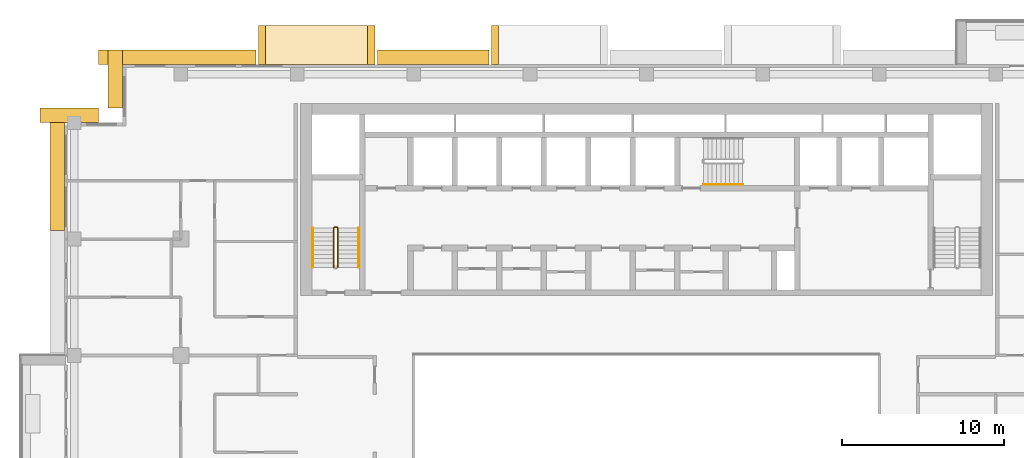
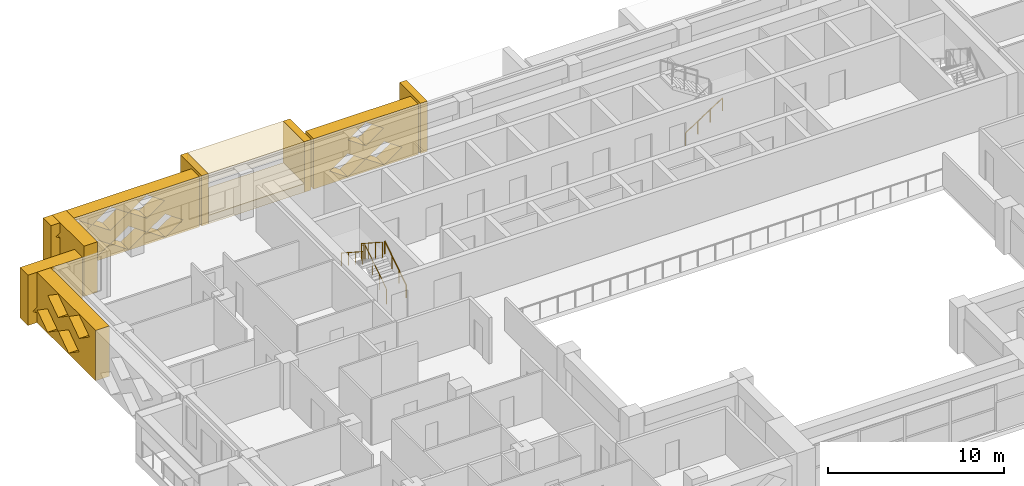
# One storey, part 18 of 20: 10 coverings, 4 railings.
"""IFC4 building model written with IfcOpenShell, lengths in metres."""

import ifcopenshell
import ifcopenshell.guid

model = None  # the IFC model being written
_history = None  # IfcOwnerHistory: only IFC2X3 demands one
_inside = {}  # id of a spatial element -> (the spatial element, [elements in it])
_under = {}  # id of a project, library or spatial element -> (it, [spatial elements below it])
_declared = {}  # id of a project -> (the project, [libraries it declares])
_typed = {}  # id of a type object -> (the type object, [elements of that type])
_made_of = {}  # id of a material, layer set ... -> (it, [elements and type objects made of it])


def new_model(schema):
    """Start an empty IFC model of exactly this schema.

    Asked for "IFC4X3", IfcOpenShell would pick the latest addendum, in which some entities
    have other attributes; the version numbers below select the first issue.
    IFC2X3 requires an IfcOwnerHistory on every rooted entity: one is made here for all.
    """
    global model, _history
    if schema == "IFC4X3":
        model = ifcopenshell.file(schema_version=(4, 3, 0, 0))
    else:
        model = ifcopenshell.file(schema=schema)
    _inside.clear()
    _under.clear()
    _declared.clear()
    _typed.clear()
    _made_of.clear()
    _history = None
    if model.schema == "IFC2X3":
        org = make("IfcOrganization", Name="unknown")
        user = make(
            "IfcPersonAndOrganization",
            ThePerson=make("IfcPerson", FamilyName="unknown"),
            TheOrganization=org,
        )
        app = make(
            "IfcApplication",
            ApplicationDeveloper=org,
            Version="unknown",
            ApplicationFullName="unknown",
            ApplicationIdentifier="unknown",
        )
        _history = make(
            "IfcOwnerHistory",
            OwningUser=user,
            OwningApplication=app,
            ChangeAction="ADDED",
            CreationDate=0,
        )
    return model


def make(cls, **values):
    """One entity of the class cls with the attributes given. An attribute that is None is left unset."""
    return model.create_entity(
        cls, **{name: value for name, value in values.items() if value is not None}
    )


def rooted(cls, **values):
    """An entity with a GlobalId (a new one), such as an element, a storey or a relation."""
    return make(cls, GlobalId=ifcopenshell.guid.new(), OwnerHistory=_history, **values)


def si_unit(unit_type, name, prefix=None):
    """IfcSIUnit, for example si_unit("LENGTHUNIT", "METRE", prefix="MILLI")."""
    return make("IfcSIUnit", UnitType=unit_type, Prefix=prefix, Name=name)


def assignment(units):
    """IfcUnitAssignment: the units of a project."""
    return None if units is None else make("IfcUnitAssignment", Units=units)


def point(xyz):
    """IfcCartesianPoint."""
    return None if xyz is None else make("IfcCartesianPoint", Coordinates=xyz)


def direction(xyz):
    """IfcDirection."""
    return None if xyz is None else make("IfcDirection", DirectionRatios=xyz)


def frame(location, z_axis=None, x_axis=None):
    """IfcAxis2Placement3D, a coordinate frame: its origin and axes. An axis left out is left unset."""
    return make(
        "IfcAxis2Placement3D",
        Location=point(location),
        Axis=direction(z_axis),
        RefDirection=direction(x_axis),
    )


def frame_2d(location, x_axis=None):
    """IfcAxis2Placement2D, a coordinate frame in the plane: its origin and x axis."""
    return make(
        "IfcAxis2Placement2D", Location=point(location), RefDirection=direction(x_axis)
    )


def origin():
    """The frame at (0, 0, 0) with its axes left unset."""
    return frame((0.0, 0.0, 0.0))


def origin_2d():
    """The frame at (0, 0) in the plane with its x axis left unset."""
    return frame_2d((0.0, 0.0))


def place(relative_to, where):
    """IfcLocalPlacement: puts the frame where relative to a parent placement (None: the world)."""
    return make(
        "IfcLocalPlacement", PlacementRelTo=relative_to, RelativePlacement=where
    )


def context(
    kind, dimensions, precision=None, world=None, true_north=None, identifier=None
):
    """IfcGeometricRepresentationContext, for example the 3D "Model" context."""
    return make(
        "IfcGeometricRepresentationContext",
        ContextIdentifier=identifier,
        ContextType=kind,
        CoordinateSpaceDimension=dimensions,
        Precision=precision,
        WorldCoordinateSystem=world,
        TrueNorth=true_north,
    )


def subcontext(parent, identifier, kind, view, scale=None):
    """IfcGeometricRepresentationSubContext, for example "Body" below "Model"."""
    return make(
        "IfcGeometricRepresentationSubContext",
        ContextIdentifier=identifier,
        ContextType=kind,
        ParentContext=parent,
        TargetScale=scale,
        TargetView=view,
    )


def project(units=None, contexts=None):
    """IfcProject with its units and contexts."""
    return rooted(
        "IfcProject",
        Name="project",
        RepresentationContexts=contexts,
        UnitsInContext=assignment(units),
    )


def spatial(cls, under=None, at=None, **own):
    """A site, building, storey or space (cls), placed at a placement, below another one or the project."""
    s = rooted(cls, ObjectPlacement=at, **own)
    if under is not None:
        _under.setdefault(under.id(), (under, []))[1].append(s)
    return s


def polyline(points):
    """IfcPolyline through the points."""
    return make("IfcPolyline", Points=[point(p) for p in points])


def profile(cls, at=None, kind="AREA", **sizes):
    """A parametric profile (cls). Its sizes go by their IFC names, for example OverallWidth=200.0."""
    return make(cls, ProfileType=kind, Position=at, **sizes)


def circle(**sizes):
    """IfcCircleProfileDef."""
    return profile("IfcCircleProfileDef", **sizes)


def outline(outer, holes=None, kind="AREA"):
    """IfcArbitraryClosedProfileDef: a profile drawn as a closed curve; with holes, ...WithVoids."""
    if holes is None:
        return make("IfcArbitraryClosedProfileDef", ProfileType=kind, OuterCurve=outer)
    return make(
        "IfcArbitraryProfileDefWithVoids",
        ProfileType=kind,
        OuterCurve=outer,
        InnerCurves=holes,
    )


def extrude(swept, where, along, depth):
    """IfcExtrudedAreaSolid: the profile swept, set in the frame where, extruded along a direction by depth."""
    return make(
        "IfcExtrudedAreaSolid",
        SweptArea=swept,
        Position=where,
        ExtrudedDirection=direction(along),
        Depth=depth,
    )


def shape(context_of_items, identifier, shape_type, items):
    """IfcShapeRepresentation: the items that make up one representation, for example the "Body"."""
    return make(
        "IfcShapeRepresentation",
        ContextOfItems=context_of_items,
        RepresentationIdentifier=identifier,
        RepresentationType=shape_type,
        Items=items,
    )


def material(Name=None, Category=None):
    """IfcMaterial."""
    return make("IfcMaterial", Name=Name, Category=Category)


def made_of(thing, what):
    """Note that an element or type object is made of a material, layer set ...; save() writes the relation."""
    if what is not None:
        _made_of.setdefault(what.id(), (what, []))[1].append(thing)
    return thing


def type_object(cls, material=None, **own):
    """A type object (cls), such as IfcWallType, which elements share."""
    return made_of(rooted(cls, **own), material)


def element(
    cls,
    number,
    at=None,
    inside=None,
    cuts=None,
    type_object=None,
    material=None,
    context=None,
    identifier="Body",
    shape_type=None,
    held_by="IfcProductDefinitionShape",
    body=None,
    shapes=None,
    **own,
):
    """One element of the class cls, such as IfcWall. Its Tag is "e" and its number.

    at: its placement. inside: the storey or other place that contains it. cuts: it is an
    opening in that element (IfcRelVoidsElement). A single representation is given by context,
    identifier, shape_type and body (its items); several are given by shapes. held_by: the class
    of the entity that holds the representations. save() writes the other relations.
    """
    e = rooted(cls, Tag="e%d" % number, ObjectPlacement=at, **own)
    if body is not None:
        shapes = [shape(context, identifier, shape_type, body)]
    if shapes is not None:
        e.Representation = make(held_by, Representations=shapes)
    if inside is not None:
        _inside.setdefault(inside.id(), (inside, []))[1].append(e)
    if cuts is not None:
        rooted(
            "IfcRelVoidsElement", RelatingBuildingElement=cuts, RelatedOpeningElement=e
        )
    if type_object is not None:
        _typed.setdefault(type_object.id(), (type_object, []))[1].append(e)
    return made_of(e, material)


def aggregate(whole, parts):
    """IfcRelAggregates: a whole, such as a stair, and the parts it consists of."""
    return rooted("IfcRelAggregates", RelatingObject=whole, RelatedObjects=parts)


def save(model, path):
    """Write the relations noted so far, then the file.

    IfcRelAggregates (storeys below a building ...), IfcRelContainedInSpatialStructure (elements
    in a storey), IfcRelDefinesByType, IfcRelAssociatesMaterial and IfcRelDeclares: one each for
    every whole, place, type object, material and project.
    """
    for whole, parts in _under.values():
        aggregate(whole, parts)
    for where, things in _inside.values():
        rooted(
            "IfcRelContainedInSpatialStructure",
            RelatedElements=things,
            RelatingStructure=where,
        )
    for kind, things in _typed.values():
        rooted("IfcRelDefinesByType", RelatedObjects=things, RelatingType=kind)
    for what, things in _made_of.values():
        rooted("IfcRelAssociatesMaterial", RelatedObjects=things, RelatingMaterial=what)
    for by, libraries in _declared.values():
        rooted("IfcRelDeclares", RelatingContext=by, RelatedDefinitions=libraries)
    model.write(path)


model = new_model("IFC4")

# Units and contexts
model_context = context("Model", 3, precision=1e-05, world=origin(), true_north=direction((0.0, 1.0)))
body_context = subcontext(model_context, "Body", "Model", "MODEL_VIEW")
ifc_project = project(units=[si_unit("LENGTHUNIT", "METRE"), si_unit("AREAUNIT", "SQUARE_METRE"), si_unit("VOLUMEUNIT", "CUBIC_METRE"), si_unit("PLANEANGLEUNIT", "RADIAN"), si_unit("MASSUNIT", "GRAM", prefix="KILO")], contexts=[model_context])

# Site, building, storey
site_placement = place(None, origin())
site = spatial("IfcSite", under=ifc_project, at=site_placement, CompositionType="ELEMENT")
building_placement = place(site_placement, origin())
building = spatial("IfcBuilding", under=site, at=building_placement, Name="Saffron Iwan Residences", CompositionType="ELEMENT")
storey_placement = place(building_placement, frame((0.0, 0.0, 164.0)))
storey = spatial("IfcBuildingStorey", under=building, at=storey_placement, Name="L43", CompositionType="ELEMENT", Elevation=164.0)

# Coverings
ifc_material_1 = material(Name="Precast concrete C40/50", Category="concrete")
covering_type_1 = type_object("IfcCoveringType", Name="OUTER SKIN LATTICE SCREEN", PredefinedType="CLADDING", material=ifc_material_1)
covering_1_placement = place(storey_placement, frame((40.64990234375, 80.39990234375, -0.300048828125), z_axis=(0.0, 1.0, 0.0), x_axis=(-1.0, 0.0, 0.0)))
element("IfcCovering", 1, at=covering_1_placement, inside=storey, type_object=covering_type_1, Name="OUTER SKIN lattice screen L43 F5.3", PredefinedType="CLADDING", context=body_context, shape_type="SweptSolid", body=[
    extrude(outline(polyline([(0.0, 0.0), (6.89990234375, 0.0), (6.89990234375, 3.5), (0.0, 3.5), (0.0, 0.0)]), holes=[polyline([(1.070068359375, 0.875), (2.25, 0.06005859375), (3.429931640625, 0.875), (2.25, 1.68994140625), (1.070068359375, 0.875)]), polyline([(3.469970703125, 0.875), (4.64990234375, 0.06005859375), (5.830078125, 0.875), (4.64990234375, 1.68994140625), (3.469970703125, 0.875)]), polyline([(2.27001953125, 2.625), (3.449951171875, 1.81005859375), (4.6298828125, 2.625), (3.449951171875, 3.43994140625), (2.27001953125, 2.625)])]), origin(), (0.0, 0.0, 1.0), 0.900146484375),
])
covering_2_placement = place(storey_placement, frame((26.25, 80.39990234375, -0.300048828125), z_axis=(0.0, 1.0, 0.0), x_axis=(-1.0, 0.0, 0.0)))
element("IfcCovering", 2, at=covering_2_placement, inside=storey, type_object=covering_type_1, Name="OUTER SKIN lattice screen L43 F5.4", PredefinedType="CLADDING", context=body_context, shape_type="SweptSolid", body=[
    extrude(outline(polyline([(0.0, 0.0), (9.75, 0.0), (9.75, 3.5), (0.0, 3.5), (0.0, 0.0)]), holes=[polyline([(1.070068359375, 0.875), (2.25, 0.06005859375), (3.429931640625, 0.875), (2.25, 1.68994140625), (1.070068359375, 0.875)]), polyline([(3.469970703125, 0.875), (4.64990234375, 0.06005859375), (5.830078125, 0.875), (4.64990234375, 1.68994140625), (3.469970703125, 0.875)]), polyline([(5.8701171875, 0.875), (7.050048828125, 0.06005859375), (8.22998046875, 0.875), (7.050048828125, 1.68994140625), (5.8701171875, 0.875)]), polyline([(2.27001953125, 2.625), (3.449951171875, 1.81005859375), (4.6298828125, 2.625), (3.449951171875, 3.43994140625), (2.27001953125, 2.625)]), polyline([(4.669921875, 2.625), (5.85009765625, 1.81005859375), (7.030029296875, 2.625), (5.85009765625, 3.43994140625), (4.669921875, 2.625)]), polyline([(7.070068359375, 2.625), (8.25, 1.81005859375), (9.429931640625, 2.625), (8.25, 3.43994140625), (7.070068359375, 2.625)])]), origin(), (0.0, 0.0, 1.0), 0.900146484375),
])
for number, where, z_axis, x_axis, name in (
    (3, (18.0, 81.300048828125, -0.300048828125), (-1.0, 0.0, 0.0), (0.0, -1.0, 0.0), "OUTER SKIN lattice screen L43 F6.0"),
    (4, (16.5, 76.800048828125, -0.300048828125), (0.0, 1.0, 0.0), (-1.0, 0.0, 0.0), "OUTER SKIN lattice screen L43 F7.0"),
):
    element("IfcCovering", number, at=place(storey_placement, frame(where, z_axis=z_axis, x_axis=x_axis)), inside=storey, type_object=covering_type_1, Name=name, PredefinedType="CLADDING", context=body_context, shape_type="SweptSolid", body=[
        extrude(outline(polyline([(0.0, 0.0), (3.60009765625, 0.0), (3.60009765625, 3.5), (0.0, 3.5), (0.0, 0.0)]), holes=[polyline([(0.919921875, 0.875), (2.10009765625, 0.06005859375), (3.280029296875, 0.875), (2.10009765625, 1.68994140625), (0.919921875, 0.875)])]), origin(), (0.0, 0.0, 1.0), 0.89990234375),
    ])
covering_3_placement = place(storey_placement, frame((14.39990234375, 77.699951171875, -0.300048828125), z_axis=(-1.0, 0.0, 0.0), x_axis=(0.0, -1.0, 0.0)))
element("IfcCovering", 5, at=covering_3_placement, inside=storey, type_object=covering_type_1, Name="OUTER SKIN lattice screen L43 F8.0", PredefinedType="CLADDING", context=body_context, shape_type="SweptSolid", body=[
    extrude(outline(polyline([(0.0, 0.0), (7.574951171875, 0.0), (7.574951171875, 3.5), (0.0, 3.5), (0.0, 0.0)]), holes=[polyline([(0.919921875, 0.875), (2.10009765625, 0.06005859375), (3.280029296875, 0.875), (2.10009765625, 1.68994140625), (0.919921875, 0.875)]), polyline([(3.320068359375, 0.875), (4.5, 0.06005859375), (5.679931640625, 0.875), (4.5, 1.68994140625), (3.320068359375, 0.875)]), polyline([(2.1201171875, 2.625), (3.300048828125, 1.81005859375), (4.47998046875, 2.625), (3.300048828125, 3.43994140625), (2.1201171875, 2.625)]), polyline([(4.52001953125, 2.625), (5.699951171875, 1.81005859375), (6.8798828125, 2.625), (5.699951171875, 3.43994140625), (4.52001953125, 2.625)])]), origin(), (0.0, 0.0, 1.0), 0.89990234375),
])

# Railings
ifc_material_2 = material(Name="Steel S355", Category="steel")
railing_type_1 = type_object("IfcRailingType", Name="Stair guard 1100", PredefinedType="GUARDRAIL", material=ifc_material_2)
railing_1_placement = place(storey_placement, frame((31.300048828125, 67.85009765625, 0.175048828125)))
element("IfcRailing", 6, at=railing_1_placement, inside=storey, type_object=railing_type_1, Name="L43 ST-W stair guard 1", PredefinedType="GUARDRAIL", context=body_context, shape_type="SweptSolid", body=[
    extrude(circle(Radius=0.02392578125, at=origin_2d()), frame((0.0, 0.0, 1.076171875), z_axis=(0.0, 0.839153699163, 0.543894354798), x_axis=(-1.0, 0.0, 0.0)), (0.0, 0.0, 1.0), 2.895751953125),
    extrude(circle(Radius=0.02392578125, at=origin_2d()), frame((0.0, 2.429931640625, 2.65087890625), z_axis=(-0.707106781187, 0.707106781187, 0.0), x_axis=(-0.707106781187, -0.707106781187, 0.0)), (0.0, 0.0, 1.0), 0.07080078125),
    extrude(circle(Radius=0.02392578125, at=origin_2d()), frame((-0.050048828125, 2.47998046875, 2.65087890625), z_axis=(-1.0, 0.0, 0.0), x_axis=(0.0, -1.0, 0.0)), (0.0, 0.0, 1.0), 0.14990234375),
    extrude(circle(Radius=0.02392578125, at=origin_2d()), frame((-0.199951171875, 2.47998046875, 2.65087890625), z_axis=(-0.265065253269, -0.265065253269, 0.927081885822), x_axis=(0.707106781187, -0.707106781187, 0.0)), (0.0, 0.0, 1.0), 0.188720703125),
    extrude(circle(Radius=0.02392578125, at=origin_2d()), frame((-0.25, 2.429931640625, 2.826171875), z_axis=(0.0, -0.839153699163, 0.543894354798), x_axis=(1.0, 0.0, 0.0)), (0.0, 0.0, 1.0), 2.895751953125),
    extrude(circle(Radius=0.02099609375, at=origin_2d()), origin(), (0.0, 0.0, 1.0), 1.052001953125),
    extrude(circle(Radius=0.02099609375, at=origin_2d()), frame((0.0, 0.81005859375, 0.52490234375)), (0.0, 0.0, 1.0), 1.052001953125),
    extrude(circle(Radius=0.02099609375, at=origin_2d()), frame((0.0, 1.619873046875, 1.050048828125)), (0.0, 0.0, 1.0), 1.052001953125),
    extrude(circle(Radius=0.02099609375, at=origin_2d()), frame((0.0, 2.429931640625, 1.574951171875)), (0.0, 0.0, 1.0), 1.052001953125),
    extrude(circle(Radius=0.02099609375, at=origin_2d()), frame((-0.050048828125, 2.47998046875, 1.574951171875)), (0.0, 0.0, 1.0), 1.052001953125),
    extrude(circle(Radius=0.02099609375, at=origin_2d()), frame((-0.199951171875, 2.47998046875, 1.574951171875)), (0.0, 0.0, 1.0), 1.052001953125),
    extrude(circle(Radius=0.02099609375, at=origin_2d()), frame((-0.25, 2.429931640625, 1.75)), (0.0, 0.0, 1.0), 1.052001953125),
    extrude(circle(Radius=0.02099609375, at=origin_2d()), frame((-0.25, 1.619873046875, 2.27490234375)), (0.0, 0.0, 1.0), 1.052001953125),
    extrude(circle(Radius=0.02099609375, at=origin_2d()), frame((-0.25, 0.81005859375, 2.800048828125)), (0.0, 0.0, 1.0), 1.052001953125),
    extrude(circle(Radius=0.02099609375, at=origin_2d()), frame((-0.25, 0.0, 3.324951171875)), (0.0, 0.0, 1.0), 1.052001953125),
])
ifc_material_3 = material(Name="Stainless steel 316", Category="steel")
railing_type_2 = type_object("IfcRailingType", Name="Stair handrail 900", PredefinedType="HANDRAIL", material=ifc_material_3)
railing_2_placement = place(storey_placement, frame((32.60009765625, 67.85009765625, 0.175048828125)))
element("IfcRailing", 7, at=railing_2_placement, inside=storey, type_object=railing_type_2, Name="L43 ST-W stair handrail 1", PredefinedType="HANDRAIL", context=body_context, shape_type="SweptSolid", body=[
    extrude(circle(Radius=0.02392578125, at=origin_2d()), frame((0.0, 0.0, 0.8759765625), z_axis=(0.0, 0.839153699163, 0.543894354798), x_axis=(-1.0, 0.0, 0.0)), (0.0, 0.0, 1.0), 2.895751953125),
    extrude(circle(Radius=0.02099609375, at=origin_2d()), origin(), (0.0, 0.0, 1.0), 0.851806640625),
    extrude(circle(Radius=0.02099609375, at=origin_2d()), frame((0.0, 0.81005859375, 0.52490234375)), (0.0, 0.0, 1.0), 0.851806640625),
    extrude(circle(Radius=0.02099609375, at=origin_2d()), frame((0.0, 1.619873046875, 1.050048828125)), (0.0, 0.0, 1.0), 0.851806640625),
    extrude(circle(Radius=0.02099609375, at=origin_2d()), frame((0.0, 2.429931640625, 1.574951171875)), (0.0, 0.0, 1.0), 0.851806640625),
])
railing_3_placement = place(storey_placement, frame((29.75, 70.280029296875, 1.925048828125)))
element("IfcRailing", 8, at=railing_3_placement, inside=storey, type_object=railing_type_2, Name="L43 ST-W stair handrail 2", PredefinedType="HANDRAIL", context=body_context, shape_type="SweptSolid", body=[
    extrude(circle(Radius=0.02392578125, at=origin_2d()), frame((0.0, 0.0, 0.8759765625), z_axis=(0.0, -0.839153699163, 0.543894354798), x_axis=(1.0, 0.0, 0.0)), (0.0, 0.0, 1.0), 2.895751953125),
    extrude(circle(Radius=0.02099609375, at=origin_2d()), origin(), (0.0, 0.0, 1.0), 0.851806640625),
    extrude(circle(Radius=0.02099609375, at=origin_2d()), frame((0.0, -0.81005859375, 0.52490234375)), (0.0, 0.0, 1.0), 0.851806640625),
    extrude(circle(Radius=0.02099609375, at=origin_2d()), frame((0.0, -1.619873046875, 1.050048828125)), (0.0, 0.0, 1.0), 0.851806640625),
    extrude(circle(Radius=0.02099609375, at=origin_2d()), frame((0.0, -2.429931640625, 1.574951171875)), (0.0, 0.0, 1.0), 0.851806640625),
])
railing_4_placement = place(storey_placement, frame((53.925048828125, 72.97509765625, 0.175048828125)))
element("IfcRailing", 9, at=railing_4_placement, inside=storey, type_object=railing_type_2, Name="L43 ST-C stair handrail 1", PredefinedType="HANDRAIL", context=body_context, shape_type="SweptSolid", body=[
    extrude(circle(Radius=0.02392578125, at=origin_2d()), frame((0.0, 0.0, 0.8759765625), z_axis=(0.839153699163, 0.0, 0.543894354798), x_axis=(0.0, 1.0, 0.0)), (0.0, 0.0, 1.0), 2.895751953125),
    extrude(circle(Radius=0.02099609375, at=origin_2d()), origin(), (0.0, 0.0, 1.0), 0.851806640625),
    extrude(circle(Radius=0.02099609375, at=origin_2d()), frame((0.81005859375, 0.0, 0.52490234375)), (0.0, 0.0, 1.0), 0.851806640625),
    extrude(circle(Radius=0.02099609375, at=origin_2d()), frame((1.619873046875, 0.0, 1.050048828125)), (0.0, 0.0, 1.0), 0.851806640625),
    extrude(circle(Radius=0.02099609375, at=origin_2d()), frame((2.429931640625, 0.0, 1.574951171875)), (0.0, 0.0, 1.0), 0.851806640625),
])

# Coverings
ifc_material_4 = material(Name="Precast concrete C40/50 white painted", Category="concrete")
covering_type_2 = type_object("IfcCoveringType", Name="WHITE SUN FRAME PRECAST", PredefinedType="CLADDING", material=ifc_material_4)
for number, where, z_axis, x_axis, name in (
    (10, (41.25, 80.39990234375, -0.300048828125), (0.0, 1.0, 0.0), (-1.0, 0.0, 0.0), "Sun frame L43 F5 34.8b"),
    (11, (33.60009765625, 80.39990234375, -0.300048828125), (0.0, 1.0, 0.0), (-1.0, 0.0, 0.0), "Sun frame L43 F5 49.2a"),
    (12, (26.85009765625, 80.39990234375, -0.300048828125), (0.0, 1.0, 0.0), (-1.0, 0.0, 0.0), "Sun frame L43 F5 49.2b"),
):
    element("IfcCovering", number, at=place(storey_placement, frame(where, z_axis=z_axis, x_axis=x_axis)), inside=storey, type_object=covering_type_2, Name=name, PredefinedType="CLADDING", context=body_context, shape_type="SweptSolid", body=[
        extrude(outline(polyline([(0.0, 0.0), (0.449951171875, 0.0), (0.449951171875, 3.5), (0.0, 3.5), (0.0, 0.0)])), origin(), (0.0, 0.0, 1.0), 2.400146484375),
    ])
for number, where, z_axis, x_axis, name in (
    (13, (33.14990234375, 80.39990234375, 2.60009765625), (0.0, 1.0, 0.0), (-1.0, 0.0, 0.0), "Sun frame L43 F5 49.2h"),
    (14, (33.14990234375, 80.39990234375, -0.300048828125), (0.0, 1.0, 0.0), (-1.0, 0.0, 0.0), "Sun frame L43 F5 49.2s"),
):
    element("IfcCovering", number, at=place(storey_placement, frame(where, z_axis=z_axis, x_axis=x_axis)), inside=storey, type_object=covering_type_2, Name=name, PredefinedType="CLADDING", context=body_context, shape_type="SweptSolid", body=[
        extrude(outline(polyline([(0.0, 0.0), (6.300048828125, 0.0), (6.300048828125, 0.60009765625), (0.0, 0.60009765625), (0.0, 0.0)])), origin(), (0.0, 0.0, 1.0), 2.400146484375),
    ])

save(model, "model.ifc")
